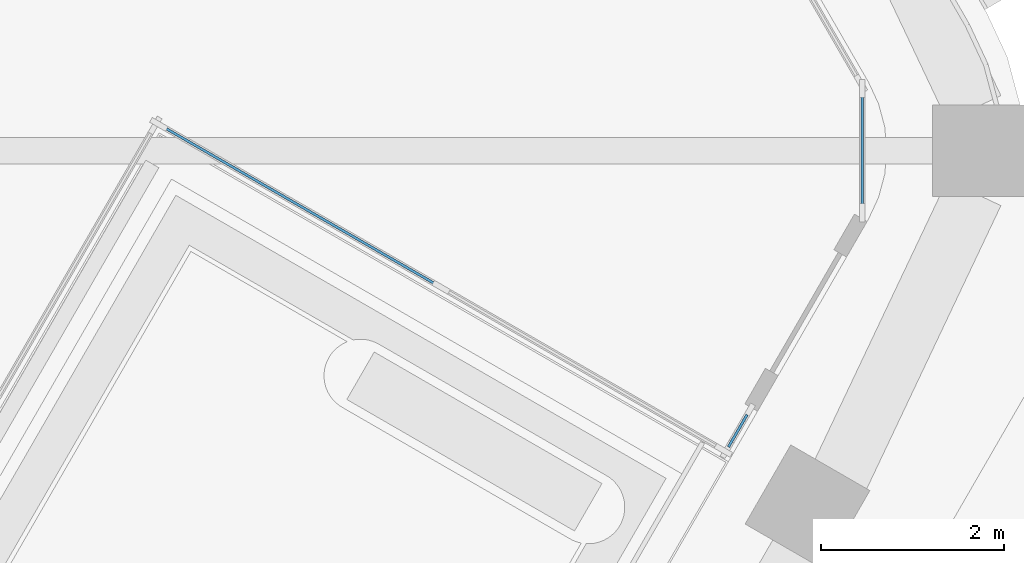
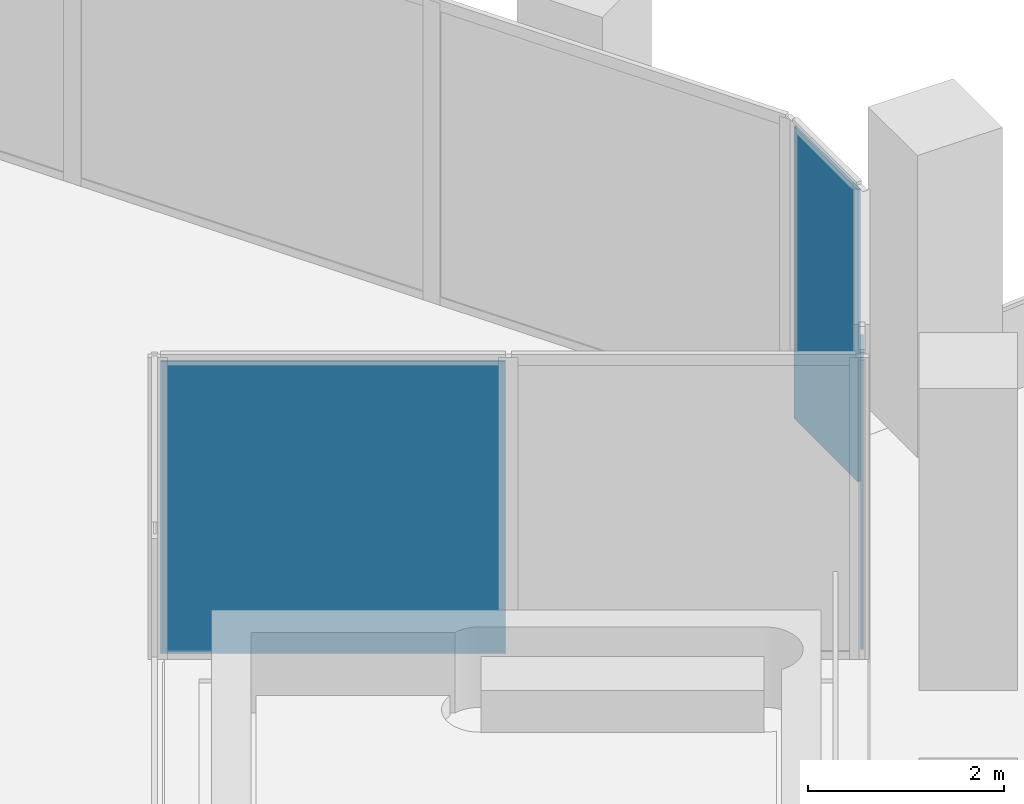
# One storey, part 9 of 17: 3 plates, 3 elements without a shape of their own.
"""IFC4 building model written with IfcOpenShell, lengths in metres."""

from ifc_helpers import new_model, si_unit, direction, frame, origin, origin_2d, place, context, subcontext, project, spatial, rectangle, extrude, material, layer, layer_set, type_object, element, aggregate, save


model = new_model("IFC4")

# Units and contexts
model_context = context("Model", 3, precision=1e-05, world=origin(), true_north=direction((0.0, 1.0)))
body_context = subcontext(model_context, "Body", "Model", "MODEL_VIEW")
ifc_project = project(units=[si_unit("LENGTHUNIT", "METRE"), si_unit("AREAUNIT", "SQUARE_METRE"), si_unit("VOLUMEUNIT", "CUBIC_METRE"), si_unit("PLANEANGLEUNIT", "RADIAN"), si_unit("MASSUNIT", "GRAM", prefix="KILO")], contexts=[model_context])

# Site, building, storey
site_placement = place(None, origin())
site = spatial("IfcSite", under=ifc_project, at=site_placement, CompositionType="ELEMENT")
building_placement = place(site_placement, origin())
building = spatial("IfcBuilding", under=site, at=building_placement, Name="Kolab Exchange Tower", CompositionType="ELEMENT")
storey_placement = place(building_placement, frame((0.0, 0.0, 197.300048828125)))
storey = spatial("IfcBuildingStorey", under=building, at=storey_placement, Name="L42", CompositionType="ELEMENT", Elevation=197.300048828125)

# Curtain wall, plate
ifc_material_1 = material(Name="Aluminium EN AW-6063 T6", Category="aluminium")
curtain_wall_type = type_object("IfcCurtainWallType", Name="UNITISED UPPER MID ZONE CURTAIN WALL", PredefinedType="NOTDEFINED", material=ifc_material_1)
curtain_wall_1_placement = place(storey_placement, origin())
curtain_wall_1 = element("IfcCurtainWall", 1, at=curtain_wall_1_placement, inside=storey, type_object=curtain_wall_type, Name="cw/L42/F3-l-1", PredefinedType="NOTDEFINED")
ifc_material_2 = material(Name="Clear insulated glazing unit", Category="glass")
ifc_layer = layer(ifc_material_2, 0.028076171875)
ifc_layer_set = layer_set([ifc_layer], Name="Clear insulated glazing unit")
plate_type = type_object("IfcPlateType", Name="UNITISED UPPER MID ZONE GLASS PANEL 28", PredefinedType="CURTAIN_PANEL", material=ifc_layer_set)
plate_1_placement = place(storey_placement, frame((25.20361328125, -3.069091796875, 0.06005859375), z_axis=(0.0, 0.0, 1.0), x_axis=(-0.49999949138, -0.866025697436, 0.0)))
plate_1 = element("IfcPlate", 2, at=plate_1_placement, type_object=plate_type, Name="CW3 panel 1.1", PredefinedType="CURTAIN_PANEL", context=body_context, shape_type="SweptSolid", body=[
    extrude(rectangle(XDim=0.407958984375, YDim=0.028076171875, at=origin_2d()), origin(), (0.0, 0.0, 1.0), 3.6298828125),
])
aggregate(curtain_wall_1, [plate_1])

curtain_wall_2_placement = place(storey_placement, origin())
curtain_wall_2 = element("IfcCurtainWall", 3, at=curtain_wall_2_placement, inside=storey, type_object=curtain_wall_type, Name="cw/L42/F3-rl-1", PredefinedType="NOTDEFINED")
plate_2_placement = place(storey_placement, frame((20.408203125, -0.605224609375, 0.06005859375), z_axis=(0.0, 0.0, 1.0), x_axis=(-0.866025407005, 0.499999994423, 0.0)))
plate_2 = element("IfcPlate", 4, at=plate_2_placement, type_object=plate_type, Name="CW3 panel 2.1", PredefinedType="CURTAIN_PANEL", context=body_context, shape_type="SweptSolid", body=[
    extrude(rectangle(XDim=3.510009765625, YDim=0.028076171875, at=origin_2d()), origin(), (0.0, 0.0, 1.0), 3.6298828125),
])
aggregate(curtain_wall_2, [plate_2])

curtain_wall_3_placement = place(storey_placement, origin())
curtain_wall_3 = element("IfcCurtainWall", 5, at=curtain_wall_3_placement, inside=storey, type_object=curtain_wall_type, Name="cw/L42/F2F3-corner", PredefinedType="NOTDEFINED")
plate_3_placement = place(storey_placement, frame((26.565673828125, 0.0, 0.06005859375), z_axis=(0.0, 0.0, 1.0), x_axis=(0.0, -1.0, 0.0)))
plate_3 = element("IfcPlate", 6, at=plate_3_placement, type_object=plate_type, Name="CW3 panel 1.1", PredefinedType="CURTAIN_PANEL", context=body_context, shape_type="SweptSolid", body=[
    extrude(rectangle(XDim=1.300048828125, YDim=0.028076171875, at=origin_2d()), origin(), (0.0, 0.0, 1.0), 3.6298828125),
])
aggregate(curtain_wall_3, [plate_3])

save(model, "model.ifc")
